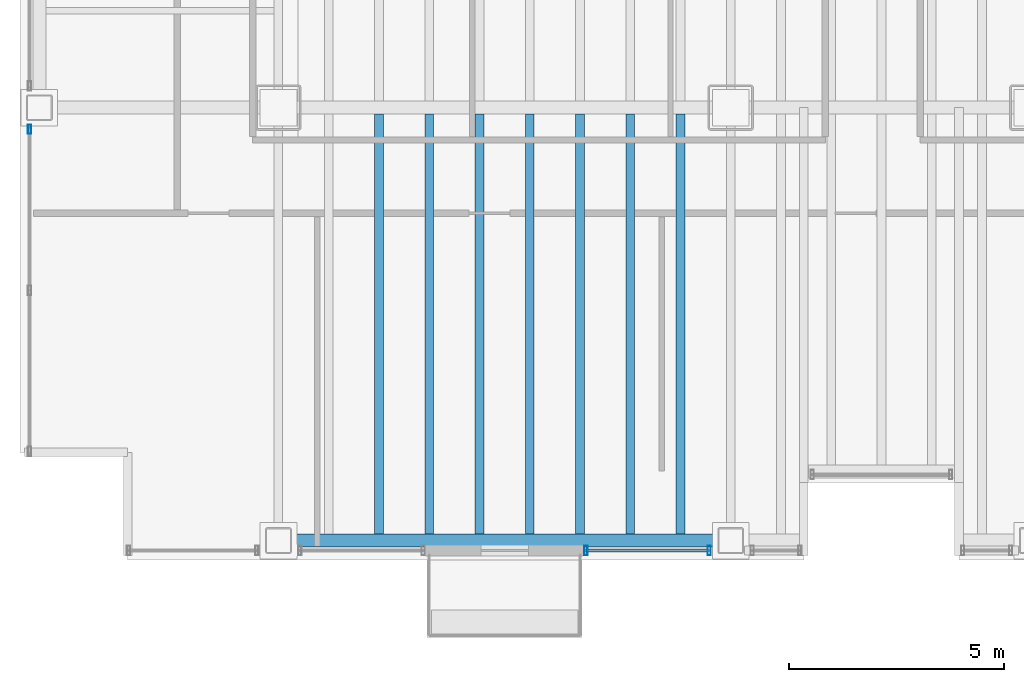
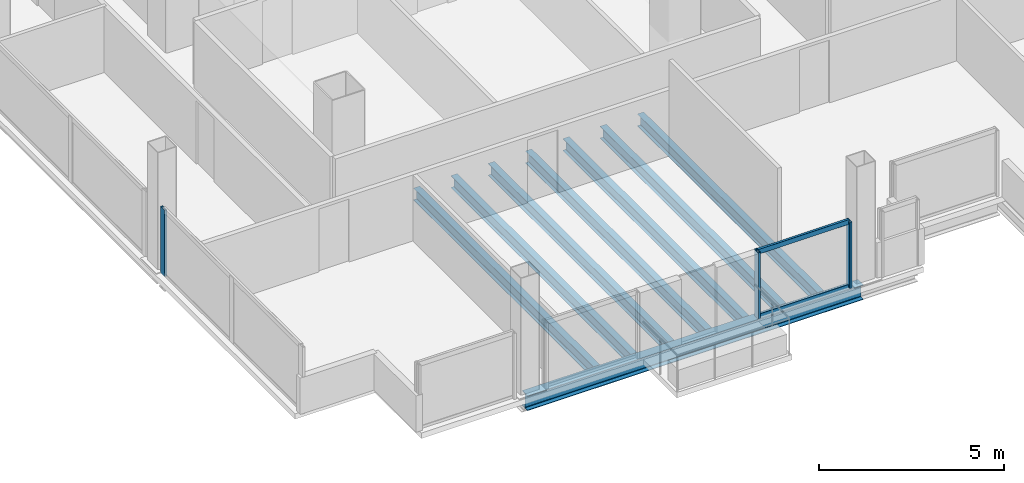
# One storey, part 3 of 21: 8 beams, 5 members, 2 elements without a shape of their own.
"""IFC4 building model written with IfcOpenShell, lengths in metres."""

from ifc_helpers import new_model, si_unit, direction, frame, origin, origin_2d, place, context, subcontext, project, spatial, hollow_rectangle, i_section, extrude, material, material_profile, profile_set, type_object, element, aggregate, save


model = new_model("IFC4")

# Units and contexts
model_context = context("Model", 3, precision=1e-05, world=origin(), true_north=direction((0.0, 1.0)))
body_context = subcontext(model_context, "Body", "Model", "MODEL_VIEW")
ifc_project = project(units=[si_unit("LENGTHUNIT", "METRE"), si_unit("AREAUNIT", "SQUARE_METRE"), si_unit("VOLUMEUNIT", "CUBIC_METRE"), si_unit("PLANEANGLEUNIT", "RADIAN"), si_unit("MASSUNIT", "GRAM", prefix="KILO")], contexts=[model_context])

# Site, building, storey
site_placement = place(None, origin())
site = spatial("IfcSite", under=ifc_project, at=site_placement, CompositionType="ELEMENT")
building_placement = place(site_placement, origin())
building = spatial("IfcBuilding", under=site, at=building_placement, Name="Noeulbin Bourse Tower", CompositionType="ELEMENT")
storey_placement = place(building_placement, frame((0.0, 0.0, 96.699951171875)))
storey = spatial("IfcBuildingStorey", under=building, at=storey_placement, Name="L24", CompositionType="ELEMENT", Elevation=96.699951171875)

# Beams
ifc_material_1 = material(Name="Steel S355", Category="steel")
ifc_material_profile_1 = material_profile(ifc_material_1, i_section(OverallWidth=0.199951171875, OverallDepth=0.39990234375, WebThickness=0.008056640625, FlangeThickness=0.012939453125, FilletRadius=0.01611328125, at=origin_2d()), Name="H-400x200x8x13", Category="LoadBearing")
ifc_profile_set_1 = profile_set([ifc_material_profile_1], Name="Steel S355")
beam_type_1 = type_object("IfcBeamType", Name="BM-SEC-400", PredefinedType="BEAM", material=ifc_profile_set_1)
for number, where, z_axis, x_axis, name in (
    (1, (15.833251953125, 10.10009765625, -0.3798828125), (0.0, 1.0, 0.0), (-1.0, 0.0, 0.0), "Tower Composite Joist L24-04"),
    (2, (17.0, 10.10009765625, -0.3798828125), (0.0, 1.0, 0.0), (-1.0, 0.0, 0.0), "Tower Composite Joist L24-07"),
    (3, (18.166748046875, 10.10009765625, -0.3798828125), (0.0, 1.0, 0.0), (-1.0, 0.0, 0.0), "Tower Composite Joist L24-10"),
    (4, (19.333251953125, 10.10009765625, -0.3798828125), (0.0, 1.0, 0.0), (-1.0, 0.0, 0.0), "Tower Composite Joist L24-13"),
    (5, (20.5, 10.10009765625, -0.3798828125), (0.0, 1.0, 0.0), (-1.0, 0.0, 0.0), "Tower Composite Joist L24-16"),
    (6, (21.666748046875, 10.10009765625, -0.3798828125), (0.0, 1.0, 0.0), (-1.0, 0.0, 0.0), "Tower Composite Joist L24-19"),
    (7, (22.833251953125, 10.10009765625, -0.3798828125), (0.0, 1.0, 0.0), (-1.0, 0.0, 0.0), "Tower Composite Joist L24-22"),
):
    element("IfcBeam", number, at=place(storey_placement, frame(where, z_axis=z_axis, x_axis=x_axis)), inside=storey, type_object=beam_type_1, Name=name, PredefinedType="BEAM", context=body_context, shape_type="SweptSolid", body=[
        extrude(i_section(OverallWidth=0.199951171875, OverallDepth=0.39990234375, WebThickness=0.008056640625, FlangeThickness=0.012939453125, FilletRadius=0.01611328125, at=origin_2d()), origin(), (0.0, 0.0, 1.0), 9.75),
    ])
ifc_material_profile_2 = material_profile(ifc_material_1, i_section(OverallWidth=0.300048828125, OverallDepth=0.488037109375, WebThickness=0.010986328125, FlangeThickness=0.01806640625, FilletRadius=0.02197265625, at=origin_2d()), Name="H-488x300x11x18", Category="LoadBearing")
ifc_profile_set_2 = profile_set([ifc_material_profile_2], Name="Steel S355")
beam_type_2 = type_object("IfcBeamType", Name="BM-SPN-488", PredefinedType="SPANDREL", material=ifc_profile_set_2)
beam_placement = place(storey_placement, frame((13.5, 9.949951171875, -0.424072265625), z_axis=(1.0, 0.0, 0.0), x_axis=(0.0, 1.0, 0.0)))
element("IfcBeam", 8, at=beam_placement, inside=storey, type_object=beam_type_2, Name="South Spandrel L24-1", PredefinedType="SPANDREL", context=body_context, shape_type="SweptSolid", body=[
    extrude(i_section(OverallWidth=0.300048828125, OverallDepth=0.488037109375, WebThickness=0.010986328125, FlangeThickness=0.01806640625, FilletRadius=0.02197265625, at=origin_2d()), origin(), (0.0, 0.0, 1.0), 10.5),
])

# Curtain wall, members
ifc_material_2 = material(Name="Dark Solar-Control Double Glazing", Category="glass")
curtain_wall_type = type_object("IfcCurtainWallType", Name="CW-SYS-2", PredefinedType="NOTDEFINED", material=ifc_material_2)
curtain_wall_1_placement = place(storey_placement, origin())
curtain_wall_1 = element("IfcCurtainWall", 9, at=curtain_wall_1_placement, inside=storey, type_object=curtain_wall_type, Name="Unitised Curtain Wall CW-L24-S2-S1", PredefinedType="NOTDEFINED")
ifc_material_3 = material(Name="Anodised Aluminium 6063-T6", Category="aluminium")
ifc_material_profile_3 = material_profile(ifc_material_3, hollow_rectangle(XDim=0.074951171875, YDim=0.219970703125, WallThickness=0.0048828125, InnerFilletRadius=0.00244140625, OuterFilletRadius=0.0048828125, at=origin_2d()), Name="ALU-MULL-75x220x5", Category="LoadBearing")
ifc_profile_set_3 = profile_set([ifc_material_profile_3], Name="Anodised Aluminium 6063-T6")
member_type_1 = type_object("IfcMemberType", Name="CW-SYS-2-MUL", PredefinedType="MULLION", material=ifc_profile_set_3)
member_1_placement = place(storey_placement, frame((20.639892578125, 9.719970703125, -0.02001953125), z_axis=(0.0, 0.0, 1.0), x_axis=(1.0, 0.0, 0.0)))
member_1 = element("IfcMember", 10, at=member_1_placement, type_object=member_type_1, Name="Curtain Wall Mullion CW-L24-S2-S1-M00", PredefinedType="MULLION", context=body_context, shape_type="SweptSolid", body=[
    extrude(hollow_rectangle(XDim=0.074951171875, YDim=0.219970703125, WallThickness=0.0048828125, InnerFilletRadius=0.00244140625, OuterFilletRadius=0.0048828125, at=origin_2d()), origin(), (0.0, 0.0, 1.0), 2.199951171875),
])
member_2_placement = place(storey_placement, frame((23.5, 9.719970703125, -0.02001953125), z_axis=(0.0, 0.0, 1.0), x_axis=(1.0, 0.0, 0.0)))
member_2 = element("IfcMember", 11, at=member_2_placement, type_object=member_type_1, Name="Curtain Wall Mullion CW-L24-S2-S1-M01", PredefinedType="MULLION", context=body_context, shape_type="SweptSolid", body=[
    extrude(hollow_rectangle(XDim=0.074951171875, YDim=0.219970703125, WallThickness=0.0048828125, InnerFilletRadius=0.00244140625, OuterFilletRadius=0.0048828125, at=origin_2d()), origin(), (0.0, 0.0, 1.0), 2.199951171875),
])

# Curtain wall, member
curtain_wall_2_placement = place(storey_placement, origin())
curtain_wall_2 = element("IfcCurtainWall", 12, at=curtain_wall_2_placement, inside=storey, type_object=curtain_wall_type, Name="Unitised Curtain Wall CW-L24-W-S1", PredefinedType="NOTDEFINED")
member_3_placement = place(storey_placement, frame((7.719970703125, 19.5, -0.02001953125), z_axis=(0.0, 0.0, 1.0), x_axis=(1.0, 0.0, 0.0)))
member_3 = element("IfcMember", 13, at=member_3_placement, type_object=member_type_1, Name="Curtain Wall Mullion CW-L24-W-S1-M02", PredefinedType="MULLION", context=body_context, shape_type="SweptSolid", body=[
    extrude(hollow_rectangle(XDim=0.074951171875, YDim=0.219970703125, WallThickness=0.0048828125, InnerFilletRadius=0.00244140625, OuterFilletRadius=0.0048828125, at=origin_2d()), origin(), (0.0, 0.0, 1.0), 2.199951171875),
])
aggregate(curtain_wall_2, [member_3])

# Member
ifc_material_profile_4 = material_profile(ifc_material_3, hollow_rectangle(XDim=0.074951171875, YDim=0.159912109375, WallThickness=0.0048828125, InnerFilletRadius=0.00244140625, OuterFilletRadius=0.0048828125, at=origin_2d()), Name="ALU-TRAN-75x160x5", Category="LoadBearing")
ifc_profile_set_4 = profile_set([ifc_material_profile_4], Name="Anodised Aluminium 6063-T6")
member_type_2 = type_object("IfcMemberType", Name="CW-SYS-2-TRN", PredefinedType="USERDEFINED", material=ifc_profile_set_4)
member_4_placement = place(storey_placement, frame((20.64990234375, 9.719970703125, 0.010009765625), z_axis=(1.0, 0.0, 0.0), x_axis=(0.0, 1.0, 0.0)))
member_4 = element("IfcMember", 14, at=member_4_placement, type_object=member_type_2, Name="Curtain Wall Transom CW-L24-S2-S1-T00", ObjectType="TRANSOM", PredefinedType="USERDEFINED", context=body_context, shape_type="SweptSolid", body=[
    extrude(hollow_rectangle(XDim=0.074951171875, YDim=0.159912109375, WallThickness=0.0048828125, InnerFilletRadius=0.00244140625, OuterFilletRadius=0.0048828125, at=origin_2d()), origin(), (0.0, 0.0, 1.0), 2.840087890625),
])

member_5_placement = place(storey_placement, frame((20.64990234375, 9.719970703125, 2.150146484375), z_axis=(1.0, 0.0, 0.0), x_axis=(0.0, 1.0, 0.0)))
member_5 = element("IfcMember", 15, at=member_5_placement, type_object=member_type_2, Name="Curtain Wall Transom CW-L24-S2-S1-T01", ObjectType="TRANSOM", PredefinedType="USERDEFINED", context=body_context, shape_type="SweptSolid", body=[
    extrude(hollow_rectangle(XDim=0.074951171875, YDim=0.159912109375, WallThickness=0.0048828125, InnerFilletRadius=0.00244140625, OuterFilletRadius=0.0048828125, at=origin_2d()), origin(), (0.0, 0.0, 1.0), 2.840087890625),
])

aggregate(curtain_wall_1, [member_1, member_2, member_4, member_5])

save(model, "model.ifc")
